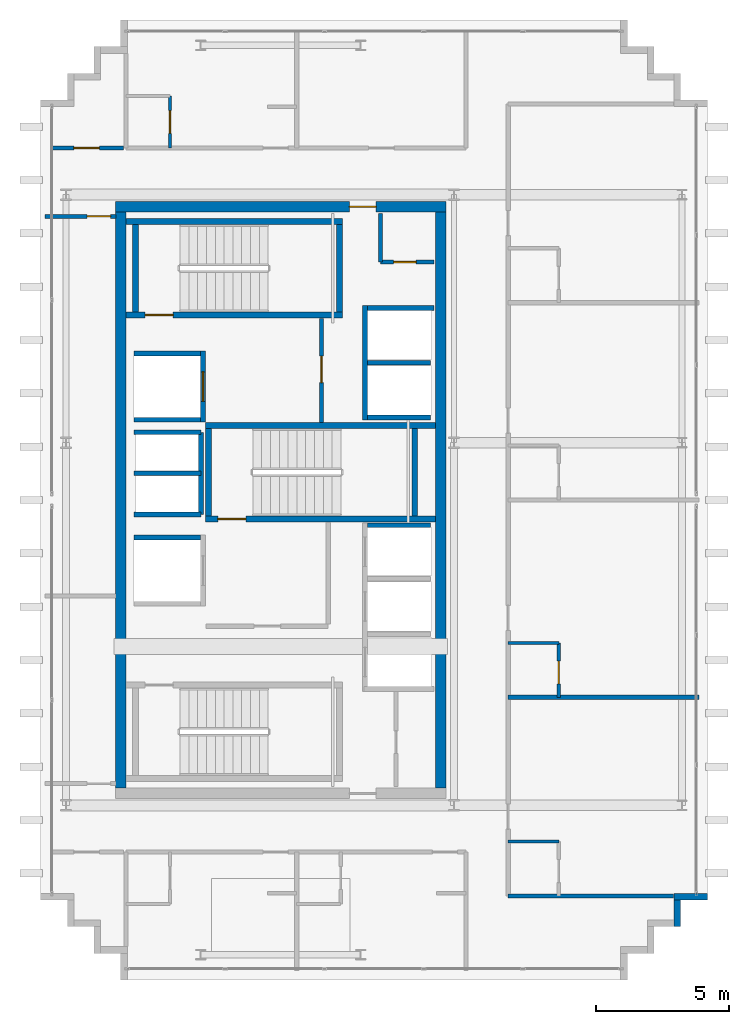
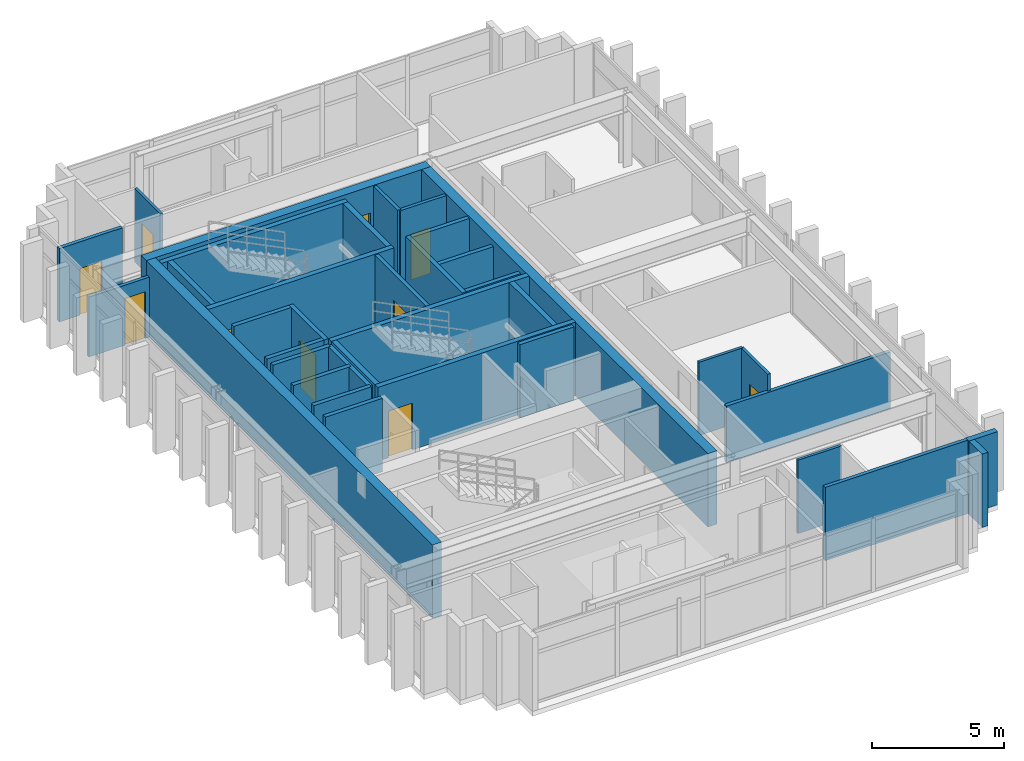
# One storey, part 13 of 15: 37 walls, 10 doors, 10 openings.
"""IFC4 building model written with IfcOpenShell, lengths in metres."""

import ifcopenshell
import ifcopenshell.guid

model = None  # the IFC model being written
_history = None  # IfcOwnerHistory: only IFC2X3 demands one
_inside = {}  # id of a spatial element -> (the spatial element, [elements in it])
_under = {}  # id of a project, library or spatial element -> (it, [spatial elements below it])
_declared = {}  # id of a project -> (the project, [libraries it declares])
_typed = {}  # id of a type object -> (the type object, [elements of that type])
_made_of = {}  # id of a material, layer set ... -> (it, [elements and type objects made of it])


def new_model(schema):
    """Start an empty IFC model of exactly this schema.

    Asked for "IFC4X3", IfcOpenShell would pick the latest addendum, in which some entities
    have other attributes; the version numbers below select the first issue.
    IFC2X3 requires an IfcOwnerHistory on every rooted entity: one is made here for all.
    """
    global model, _history
    if schema == "IFC4X3":
        model = ifcopenshell.file(schema_version=(4, 3, 0, 0))
    else:
        model = ifcopenshell.file(schema=schema)
    _inside.clear()
    _under.clear()
    _declared.clear()
    _typed.clear()
    _made_of.clear()
    _history = None
    if model.schema == "IFC2X3":
        org = make("IfcOrganization", Name="unknown")
        user = make(
            "IfcPersonAndOrganization",
            ThePerson=make("IfcPerson", FamilyName="unknown"),
            TheOrganization=org,
        )
        app = make(
            "IfcApplication",
            ApplicationDeveloper=org,
            Version="unknown",
            ApplicationFullName="unknown",
            ApplicationIdentifier="unknown",
        )
        _history = make(
            "IfcOwnerHistory",
            OwningUser=user,
            OwningApplication=app,
            ChangeAction="ADDED",
            CreationDate=0,
        )
    return model


def make(cls, **values):
    """One entity of the class cls with the attributes given. An attribute that is None is left unset."""
    return model.create_entity(
        cls, **{name: value for name, value in values.items() if value is not None}
    )


def rooted(cls, **values):
    """An entity with a GlobalId (a new one), such as an element, a storey or a relation."""
    return make(cls, GlobalId=ifcopenshell.guid.new(), OwnerHistory=_history, **values)


def si_unit(unit_type, name, prefix=None):
    """IfcSIUnit, for example si_unit("LENGTHUNIT", "METRE", prefix="MILLI")."""
    return make("IfcSIUnit", UnitType=unit_type, Prefix=prefix, Name=name)


def assignment(units):
    """IfcUnitAssignment: the units of a project."""
    return None if units is None else make("IfcUnitAssignment", Units=units)


def point(xyz):
    """IfcCartesianPoint."""
    return None if xyz is None else make("IfcCartesianPoint", Coordinates=xyz)


def direction(xyz):
    """IfcDirection."""
    return None if xyz is None else make("IfcDirection", DirectionRatios=xyz)


def frame(location, z_axis=None, x_axis=None):
    """IfcAxis2Placement3D, a coordinate frame: its origin and axes. An axis left out is left unset."""
    return make(
        "IfcAxis2Placement3D",
        Location=point(location),
        Axis=direction(z_axis),
        RefDirection=direction(x_axis),
    )


def frame_2d(location, x_axis=None):
    """IfcAxis2Placement2D, a coordinate frame in the plane: its origin and x axis."""
    return make(
        "IfcAxis2Placement2D", Location=point(location), RefDirection=direction(x_axis)
    )


def origin():
    """The frame at (0, 0, 0) with its axes left unset."""
    return frame((0.0, 0.0, 0.0))


def place(relative_to, where):
    """IfcLocalPlacement: puts the frame where relative to a parent placement (None: the world)."""
    return make(
        "IfcLocalPlacement", PlacementRelTo=relative_to, RelativePlacement=where
    )


def context(
    kind, dimensions, precision=None, world=None, true_north=None, identifier=None
):
    """IfcGeometricRepresentationContext, for example the 3D "Model" context."""
    return make(
        "IfcGeometricRepresentationContext",
        ContextIdentifier=identifier,
        ContextType=kind,
        CoordinateSpaceDimension=dimensions,
        Precision=precision,
        WorldCoordinateSystem=world,
        TrueNorth=true_north,
    )


def subcontext(parent, identifier, kind, view, scale=None):
    """IfcGeometricRepresentationSubContext, for example "Body" below "Model"."""
    return make(
        "IfcGeometricRepresentationSubContext",
        ContextIdentifier=identifier,
        ContextType=kind,
        ParentContext=parent,
        TargetScale=scale,
        TargetView=view,
    )


def project(units=None, contexts=None):
    """IfcProject with its units and contexts."""
    return rooted(
        "IfcProject",
        Name="project",
        RepresentationContexts=contexts,
        UnitsInContext=assignment(units),
    )


def spatial(cls, under=None, at=None, **own):
    """A site, building, storey or space (cls), placed at a placement, below another one or the project."""
    s = rooted(cls, ObjectPlacement=at, **own)
    if under is not None:
        _under.setdefault(under.id(), (under, []))[1].append(s)
    return s


def profile(cls, at=None, kind="AREA", **sizes):
    """A parametric profile (cls). Its sizes go by their IFC names, for example OverallWidth=200.0."""
    return make(cls, ProfileType=kind, Position=at, **sizes)


def rectangle(**sizes):
    """IfcRectangleProfileDef."""
    return profile("IfcRectangleProfileDef", **sizes)


def extrude(swept, where, along, depth):
    """IfcExtrudedAreaSolid: the profile swept, set in the frame where, extruded along a direction by depth."""
    return make(
        "IfcExtrudedAreaSolid",
        SweptArea=swept,
        Position=where,
        ExtrudedDirection=direction(along),
        Depth=depth,
    )


def shape(context_of_items, identifier, shape_type, items):
    """IfcShapeRepresentation: the items that make up one representation, for example the "Body"."""
    return make(
        "IfcShapeRepresentation",
        ContextOfItems=context_of_items,
        RepresentationIdentifier=identifier,
        RepresentationType=shape_type,
        Items=items,
    )


def source(mapping_origin, context_of_items, identifier, shape_type, items):
    """IfcRepresentationMap: a shape defined once, which mapped items show again and again."""
    return make(
        "IfcRepresentationMap",
        MappingOrigin=mapping_origin,
        MappedRepresentation=shape(context_of_items, identifier, shape_type, items),
    )


def transform(
    local_origin,
    x_axis=None,
    y_axis=None,
    z_axis=None,
    scale=None,
    scale2=None,
    scale3=None,
    uniform=True,
):
    """IfcCartesianTransformationOperator3D, or its non-uniform kind. x_axis, y_axis, z_axis: its Axis1, 2, 3."""
    if uniform:
        return make(
            "IfcCartesianTransformationOperator3D",
            Axis1=direction(x_axis),
            Axis2=direction(y_axis),
            LocalOrigin=point(local_origin),
            Scale=scale,
            Axis3=direction(z_axis),
        )
    return make(
        "IfcCartesianTransformationOperator3DnonUniform",
        Axis1=direction(x_axis),
        Axis2=direction(y_axis),
        LocalOrigin=point(local_origin),
        Scale=scale,
        Axis3=direction(z_axis),
        Scale2=scale2,
        Scale3=scale3,
    )


def mapped(mapping_source, mapping_target):
    """IfcMappedItem: shows the shape of a source again, moved by a transform."""
    return make(
        "IfcMappedItem", MappingSource=mapping_source, MappingTarget=mapping_target
    )


def material(Name=None, Category=None):
    """IfcMaterial."""
    return make("IfcMaterial", Name=Name, Category=Category)


def layer(
    of_material, thickness, ventilated=None, Name=None, Category=None, Priority=None
):
    """IfcMaterialLayer: one layer of a wall or slab, of a material (None: an air gap)."""
    return make(
        "IfcMaterialLayer",
        Material=of_material,
        LayerThickness=thickness,
        IsVentilated=ventilated,
        Name=Name,
        Category=Category,
        Priority=Priority,
    )


def layer_set(layers, Name=None):
    """IfcMaterialLayerSet."""
    return make("IfcMaterialLayerSet", MaterialLayers=layers, LayerSetName=Name)


def made_of(thing, what):
    """Note that an element or type object is made of a material, layer set ...; save() writes the relation."""
    if what is not None:
        _made_of.setdefault(what.id(), (what, []))[1].append(thing)
    return thing


def type_object(cls, material=None, **own):
    """A type object (cls), such as IfcWallType, which elements share."""
    return made_of(rooted(cls, **own), material)


def element(
    cls,
    number,
    at=None,
    inside=None,
    cuts=None,
    type_object=None,
    material=None,
    context=None,
    identifier="Body",
    shape_type=None,
    held_by="IfcProductDefinitionShape",
    body=None,
    shapes=None,
    **own,
):
    """One element of the class cls, such as IfcWall. Its Tag is "e" and its number.

    at: its placement. inside: the storey or other place that contains it. cuts: it is an
    opening in that element (IfcRelVoidsElement). A single representation is given by context,
    identifier, shape_type and body (its items); several are given by shapes. held_by: the class
    of the entity that holds the representations. save() writes the other relations.
    """
    e = rooted(cls, Tag="e%d" % number, ObjectPlacement=at, **own)
    if body is not None:
        shapes = [shape(context, identifier, shape_type, body)]
    if shapes is not None:
        e.Representation = make(held_by, Representations=shapes)
    if inside is not None:
        _inside.setdefault(inside.id(), (inside, []))[1].append(e)
    if cuts is not None:
        rooted(
            "IfcRelVoidsElement", RelatingBuildingElement=cuts, RelatedOpeningElement=e
        )
    if type_object is not None:
        _typed.setdefault(type_object.id(), (type_object, []))[1].append(e)
    return made_of(e, material)


def fill(opening, filler):
    """IfcRelFillsElement: the door or window that sits in an opening."""
    return rooted(
        "IfcRelFillsElement",
        RelatingOpeningElement=opening,
        RelatedBuildingElement=filler,
    )


def aggregate(whole, parts):
    """IfcRelAggregates: a whole, such as a stair, and the parts it consists of."""
    return rooted("IfcRelAggregates", RelatingObject=whole, RelatedObjects=parts)


def save(model, path):
    """Write the relations noted so far, then the file.

    IfcRelAggregates (storeys below a building ...), IfcRelContainedInSpatialStructure (elements
    in a storey), IfcRelDefinesByType, IfcRelAssociatesMaterial and IfcRelDeclares: one each for
    every whole, place, type object, material and project.
    """
    for whole, parts in _under.values():
        aggregate(whole, parts)
    for where, things in _inside.values():
        rooted(
            "IfcRelContainedInSpatialStructure",
            RelatedElements=things,
            RelatingStructure=where,
        )
    for kind, things in _typed.values():
        rooted("IfcRelDefinesByType", RelatedObjects=things, RelatingType=kind)
    for what, things in _made_of.values():
        rooted("IfcRelAssociatesMaterial", RelatedObjects=things, RelatingMaterial=what)
    for by, libraries in _declared.values():
        rooted("IfcRelDeclares", RelatingContext=by, RelatedDefinitions=libraries)
    model.write(path)


model = new_model("IFC4")

# Units and contexts
model_context = context("Model", 3, precision=1e-05, world=origin(), true_north=direction((0.0, 1.0)))
body_context = subcontext(model_context, "Body", "Model", "MODEL_VIEW")
ifc_project = project(units=[si_unit("LENGTHUNIT", "METRE"), si_unit("AREAUNIT", "SQUARE_METRE"), si_unit("VOLUMEUNIT", "CUBIC_METRE"), si_unit("PLANEANGLEUNIT", "RADIAN"), si_unit("MASSUNIT", "GRAM", prefix="KILO")], contexts=[model_context])

# Site, building, storey
site_placement = place(None, origin())
site = spatial("IfcSite", under=ifc_project, at=site_placement, CompositionType="ELEMENT")
building_placement = place(site_placement, origin())
building = spatial("IfcBuilding", under=site, at=building_placement, Name="Ocotamira Hotel", CompositionType="ELEMENT")
storey_placement = place(building_placement, frame((0.0, 0.0, 286.800048828125)))
storey = spatial("IfcBuildingStorey", under=building, at=storey_placement, Name="L73", CompositionType="ELEMENT", Elevation=286.800048828125)

# Wall, opening, door
ifc_material_1 = material(Name="Concrete C50/60", Category="concrete")
ifc_layer_1 = layer(ifc_material_1, 0.39990234375)
ifc_layer_set_1 = layer_set([ifc_layer_1], Name="Concrete C50/60")
wall_type_1 = type_object("IfcWallType", Name="WL-CORE-400", PredefinedType="SHEAR", material=ifc_layer_set_1)
wall_1_placement = place(storey_placement, frame((10.800048828125, 37.0, 0.0), z_axis=(0.0, 0.0, 1.0), x_axis=(1.0, 0.0, 0.0)))
wall_1 = element("IfcWall", 1, at=wall_1_placement, inside=storey, type_object=wall_type_1, Name="L73 Shear Core Wall WCORE-N", PredefinedType="SHEAR", context=body_context, shape_type="SweptSolid", body=[
    extrude(rectangle(XDim=12.39990234375, YDim=0.39990234375, at=frame_2d((6.199951171875, 0.0))), origin(), (0.0, 0.0, 1.0), 3.3798828125),
])
opening_1_placement = place(wall_1_placement, frame((8.780029296875, 0.0, 0.0)))
opening_1 = element("IfcOpeningElement", 2, at=opening_1_placement, cuts=wall_1, Name="Opening D-FR2", PredefinedType="OPENING", context=body_context, shape_type="SweptSolid", body=[
    extrude(rectangle(XDim=1.0, YDim=2.14990234375, at=frame_2d((0.5, 1.074951171875))), frame((0.0, 0.2099609375, 0.0), z_axis=(0.0, -1.0, 0.0), x_axis=(1.0, 0.0, 0.0)), (0.0, 0.0, 1.0), 0.419921875),
])
ifc_material_2 = material(Name="Fire-rated acoustic timber-veneer door", Category="wood")
door_type_1 = type_object("IfcDoorType", Name="DR-FIRE-1000", OperationType="NOTDEFINED", PredefinedType="DOOR", material=ifc_material_2)
shared_shape_1 = source(origin(), body_context, "Body", "SweptSolid", [
    extrude(rectangle(XDim=1.0, YDim=2.14990234375, at=frame_2d((0.5, 1.074951171875))), frame((0.0, 0.02490234375, 0.0), z_axis=(0.0, -1.0, 0.0), x_axis=(1.0, 0.0, 0.0)), (0.0, 0.0, 1.0), 0.050048828125),
])
door_1_placement = place(opening_1_placement, origin())
door_1 = element("IfcDoor", 3, at=door_1_placement, inside=storey, type_object=door_type_1, Name="L73 Door ID-L73-WLOB-N-D [ID-L73-WLOB-N-D]", OperationType="SINGLE_SWING_RIGHT", OverallHeight=2.14990234375, OverallWidth=1.0, PredefinedType="DOOR", context=body_context, shape_type="MappedRepresentation", body=[
    mapped(shared_shape_1, transform((0.0, 0.0, 0.0), scale=1.0)),
])
fill(opening_1, door_1)

# Walls
for number, where, z_axis, x_axis, name in (
    (4, (11.0, 15.199951171875, 0.0), (0.0, 0.0, 1.0), (0.0, 1.0, 0.0), "L73 Shear Core Wall WCORE-W"),
    (5, (23.0, 15.199951171875, 0.0), (0.0, 0.0, 1.0), (0.0, 1.0, 0.0), "L73 Shear Core Wall WCORE-E"),
):
    element("IfcWall", number, at=place(storey_placement, frame(where, z_axis=z_axis, x_axis=x_axis)), inside=storey, type_object=wall_type_1, Name=name, PredefinedType="SHEAR", context=body_context, shape_type="SweptSolid", body=[
        extrude(rectangle(XDim=21.60009765625, YDim=0.39990234375, at=frame_2d((10.800048828125, 0.0))), origin(), (0.0, 0.0, 1.0), 3.3798828125),
    ])
ifc_material_3 = material(Name="Precast concrete C45/55", Category="concrete")
ifc_layer_2 = layer(ifc_material_3, 0.25)
ifc_layer_set_2 = layer_set([ifc_layer_2], Name="Precast concrete C45/55")
wall_type_2 = type_object("IfcWallType", Name="WL-EXT-SER-250", PredefinedType="SOLIDWALL", material=ifc_layer_set_2)
wall_2_placement = place(storey_placement, frame((31.875, 10.0, 0.0), z_axis=(0.0, 0.0, 1.0), x_axis=(0.0, 1.0, 0.0)))
element("IfcWall", 6, at=wall_2_placement, inside=storey, type_object=wall_type_2, Name="L73 Serrated Corner Wall 05", PredefinedType="SOLIDWALL", context=body_context, shape_type="SweptSolid", body=[
    extrude(rectangle(XDim=1.0, YDim=0.25, at=frame_2d((0.5, 0.0))), origin(), (0.0, 0.0, 1.0), 3.3798828125),
])
wall_3_placement = place(storey_placement, frame((31.75, 11.125, 0.0), z_axis=(0.0, 0.0, 1.0), x_axis=(1.0, 0.0, 0.0)))
element("IfcWall", 7, at=wall_3_placement, inside=storey, type_object=wall_type_2, Name="L73 Serrated Corner Wall 06", PredefinedType="SOLIDWALL", context=body_context, shape_type="SweptSolid", body=[
    extrude(rectangle(XDim=1.25, YDim=0.25, at=frame_2d((0.625, 0.0))), origin(), (0.0, 0.0, 1.0), 3.3798828125),
])

# Wall, opening, door
ifc_material_4 = material(Name="Acoustic double-layer fire gypsum board partition", Category="gypsum")
ifc_layer_3 = layer(ifc_material_4, 0.159912109375)
ifc_layer_set_3 = layer_set([ifc_layer_3], Name="Acoustic double-layer fire gypsum board partition")
wall_type_3 = type_object("IfcWallType", Name="WL-FIRE-160", PredefinedType="PARTITIONING", material=ifc_layer_set_3)
wall_4_placement = place(storey_placement, frame((18.530029296875, 28.89990234375, 0.0), z_axis=(0.0, 0.0, 1.0), x_axis=(0.0, 1.0, 0.0)))
wall_4 = element("IfcWall", 8, at=wall_4_placement, inside=storey, type_object=wall_type_3, Name="L73 Interior Wall PW-L73-FSAE2-E", PredefinedType="PARTITIONING", context=body_context, shape_type="SweptSolid", body=[
    extrude(rectangle(XDim=3.900146484375, YDim=0.159912109375, at=frame_2d((1.9501953125, 0.0))), origin(), (0.0, 0.0, 1.0), 3.3798828125),
])
opening_2_placement = place(wall_4_placement, frame((1.5, 0.0, 0.0)))
opening_2 = element("IfcOpeningElement", 9, at=opening_2_placement, cuts=wall_4, Name="Opening D-FR2", PredefinedType="OPENING", context=body_context, shape_type="SweptSolid", body=[
    extrude(rectangle(XDim=1.0, YDim=2.14990234375, at=frame_2d((0.5, 1.074951171875))), frame((0.0, 0.08984375, 0.0), z_axis=(0.0, -1.0, 0.0), x_axis=(1.0, 0.0, 0.0)), (0.0, 0.0, 1.0), 0.179931640625),
])
door_2_placement = place(opening_2_placement, origin())
door_2 = element("IfcDoor", 10, at=door_2_placement, inside=storey, type_object=door_type_1, Name="L73 Door ID-L73-FSAE2-D [ID-L73-FSAE2-D]", OperationType="SINGLE_SWING_RIGHT", OverallHeight=2.14990234375, OverallWidth=1.0, PredefinedType="DOOR", context=body_context, shape_type="MappedRepresentation", body=[
    mapped(shared_shape_1, transform((0.0, 0.0, 0.0), scale=1.0)),
])
fill(opening_2, door_2)

wall_5_placement = place(storey_placement, frame((8.35009765625, 39.199951171875, 0.0), z_axis=(0.0, 0.0, 1.0), x_axis=(1.0, 0.0, 0.0)))
wall_5 = element("IfcWall", 11, at=wall_5_placement, inside=storey, type_object=wall_type_3, Name="L73 Interior Wall PW-L73-WPCNW1-CW", PredefinedType="PARTITIONING", context=body_context, shape_type="SweptSolid", body=[
    extrude(rectangle(XDim=2.75, YDim=0.159912109375, at=frame_2d((1.375, 0.0))), origin(), (0.0, 0.0, 1.0), 3.3798828125),
])
opening_3_placement = place(wall_5_placement, frame((0.89501953125, 0.0, 0.0)))
opening_3 = element("IfcOpeningElement", 12, at=opening_3_placement, cuts=wall_5, Name="Opening D-SV4", PredefinedType="OPENING", context=body_context, shape_type="SweptSolid", body=[
    extrude(rectangle(XDim=0.9599609375, YDim=2.14990234375, at=frame_2d((0.47998046875, 1.074951171875))), frame((0.0, 0.08984375, 0.0), z_axis=(0.0, -1.0, 0.0), x_axis=(1.0, 0.0, 0.0)), (0.0, 0.0, 1.0), 0.179931640625),
])
ifc_material_5 = material(Name="Fire-rated accessible walnut salon door", Category="wood")
door_type_2 = type_object("IfcDoorType", Name="DR-SERV-960", OperationType="NOTDEFINED", PredefinedType="DOOR", material=ifc_material_5)
shared_shape_2 = source(origin(), body_context, "Body", "SweptSolid", [
    extrude(rectangle(XDim=0.9599609375, YDim=2.14990234375, at=frame_2d((0.47998046875, 1.074951171875))), frame((0.0, 0.02490234375, 0.0), z_axis=(0.0, -1.0, 0.0), x_axis=(1.0, 0.0, 0.0)), (0.0, 0.0, 1.0), 0.050048828125),
])
door_3_placement = place(opening_3_placement, origin())
door_3 = element("IfcDoor", 13, at=door_3_placement, inside=storey, type_object=door_type_2, Name="L73 Door ID-L73-WPCNW1-CD [ID-L73-WPCNW1-CD]", OperationType="SINGLE_SWING_LEFT", OverallHeight=2.14990234375, OverallWidth=0.9599609375, PredefinedType="DOOR", context=body_context, shape_type="MappedRepresentation", body=[
    mapped(shared_shape_2, transform((0.0, 0.0, 0.0), scale=1.0)),
])
fill(opening_3, door_3)

ifc_material_6 = material(Name="Moisture-resistant en-suite tile and gypsum partition", Category="gypsum")
ifc_layer_4 = layer(ifc_material_6, 0.1201171875)
ifc_layer_set_4 = layer_set([ifc_layer_4], Name="Moisture-resistant en-suite tile and gypsum partition")
wall_type_4 = type_object("IfcWallType", Name="WL-PART-120", PredefinedType="PARTITIONING", material=ifc_layer_set_4)
wall_6_placement = place(storey_placement, frame((12.85009765625, 39.199951171875, 0.0), z_axis=(0.0, 0.0, 1.0), x_axis=(0.0, 1.0, 0.0)))
wall_6 = element("IfcWall", 14, at=wall_6_placement, inside=storey, type_object=wall_type_4, Name="L73 Interior Wall PW-L73-WP1N-BAE1", PredefinedType="PARTITIONING", context=body_context, shape_type="SweptSolid", body=[
    extrude(rectangle(XDim=1.949951171875, YDim=0.1201171875, at=frame_2d((0.97509765625, 0.0))), origin(), (0.0, 0.0, 1.0), 3.3798828125),
])
opening_4_placement = place(wall_6_placement, frame((0.544921875, 0.0, 0.0)))
opening_4 = element("IfcOpeningElement", 15, at=opening_4_placement, cuts=wall_6, Name="Opening D-BA1", PredefinedType="OPENING", context=body_context, shape_type="SweptSolid", body=[
    extrude(rectangle(XDim=0.860107421875, YDim=2.10009765625, at=frame_2d((0.43017578125, 1.050048828125))), frame((0.0, 0.070068359375, 0.0), z_axis=(0.0, -1.0, 0.0), x_axis=(1.0, 0.0, 0.0)), (0.0, 0.0, 1.0), 0.14013671875),
])
ifc_material_7 = material(Name="Moisture-sealed en-suite timber door", Category="wood")
door_type_3 = type_object("IfcDoorType", Name="DR-BATH-860", OperationType="NOTDEFINED", PredefinedType="DOOR", material=ifc_material_7)
shared_shape_3 = source(origin(), body_context, "Body", "SweptSolid", [
    extrude(rectangle(XDim=0.860107421875, YDim=2.10009765625, at=frame_2d((0.43017578125, 1.050048828125))), frame((0.0, 0.02490234375, 0.0), z_axis=(0.0, -1.0, 0.0), x_axis=(1.0, 0.0, 0.0)), (0.0, 0.0, 1.0), 0.050048828125),
])
door_4_placement = place(opening_4_placement, origin())
door_4 = element("IfcDoor", 16, at=door_4_placement, inside=storey, type_object=door_type_3, Name="L73 Door ID-L73-WP1N-BAD1 [ID-L73-WP1N-BAD1]", OperationType="SINGLE_SWING_RIGHT", OverallHeight=2.10009765625, OverallWidth=0.860107421875, PredefinedType="DOOR", context=body_context, shape_type="MappedRepresentation", body=[
    mapped(shared_shape_3, transform((0.0, 0.0, 0.0), scale=1.0)),
])
fill(opening_4, door_4)

# Wall
wall_7_placement = place(storey_placement, frame((25.530029296875, 13.18994140625, 0.0), z_axis=(0.0, 0.0, 1.0), x_axis=(1.0, 0.0, 0.0)))
element("IfcWall", 17, at=wall_7_placement, inside=storey, type_object=wall_type_4, Name="L73 Interior Wall PW-L73-WP-EBN1", PredefinedType="PARTITIONING", context=body_context, shape_type="SweptSolid", body=[
    extrude(rectangle(XDim=1.89990234375, YDim=0.1201171875, at=frame_2d((0.949951171875, 0.0))), origin(), (0.0, 0.0, 1.0), 3.3798828125),
])

# Wall, opening, door
wall_8_placement = place(storey_placement, frame((27.429931640625, 18.60009765625, 0.0), z_axis=(0.0, 0.0, 1.0), x_axis=(0.0, 1.0, 0.0)))
wall_8 = element("IfcWall", 18, at=wall_8_placement, inside=storey, type_object=wall_type_4, Name="L73 Interior Wall PW-L73-WP-EBE2", PredefinedType="PARTITIONING", context=body_context, shape_type="SweptSolid", body=[
    extrude(rectangle(XDim=2.039794921875, YDim=0.1201171875, at=frame_2d((1.02001953125, 0.0))), origin(), (0.0, 0.0, 1.0), 3.3798828125),
])
opening_5_placement = place(wall_8_placement, frame((0.5, 0.0, 0.0)))
opening_5 = element("IfcOpeningElement", 19, at=opening_5_placement, cuts=wall_8, Name="Opening D-BA1", PredefinedType="OPENING", context=body_context, shape_type="SweptSolid", body=[
    extrude(rectangle(XDim=0.860107421875, YDim=2.10009765625, at=frame_2d((0.43017578125, 1.050048828125))), frame((0.0, 0.070068359375, 0.0), z_axis=(0.0, -1.0, 0.0), x_axis=(1.0, 0.0, 0.0)), (0.0, 0.0, 1.0), 0.14013671875),
])
door_5_placement = place(opening_5_placement, origin())
door_5 = element("IfcDoor", 20, at=door_5_placement, inside=storey, type_object=door_type_3, Name="L73 Door ID-L73-WP-EBD2 [ID-L73-WP-EBD2]", OperationType="SINGLE_SWING_LEFT", OverallHeight=2.10009765625, OverallWidth=0.860107421875, PredefinedType="DOOR", context=body_context, shape_type="MappedRepresentation", body=[
    mapped(shared_shape_3, transform((0.0, 0.0, 0.0), scale=1.0)),
])
fill(opening_5, door_5)

# Walls
wall_9_placement = place(storey_placement, frame((25.530029296875, 20.639892578125, 0.0), z_axis=(0.0, 0.0, 1.0), x_axis=(1.0, 0.0, 0.0)))
element("IfcWall", 21, at=wall_9_placement, inside=storey, type_object=wall_type_4, Name="L73 Interior Wall PW-L73-WP-EBN2", PredefinedType="PARTITIONING", context=body_context, shape_type="SweptSolid", body=[
    extrude(rectangle(XDim=1.89990234375, YDim=0.1201171875, at=frame_2d((0.949951171875, 0.0))), origin(), (0.0, 0.0, 1.0), 3.3798828125),
])
ifc_material_8 = material(Name="Acoustic hospitality gypsum board partition", Category="gypsum")
ifc_layer_5 = layer(ifc_material_8, 0.14208984375)
ifc_layer_set_5 = layer_set([ifc_layer_5], Name="Acoustic hospitality gypsum board partition")
wall_type_5 = type_object("IfcWallType", Name="WL-PART-142", PredefinedType="PARTITIONING", material=ifc_layer_set_5)
wall_10_placement = place(storey_placement, frame((20.739990234375, 34.919921875, 0.0), z_axis=(0.0, 0.0, 1.0), x_axis=(0.0, 1.0, 0.0)))
element("IfcWall", 22, at=wall_10_placement, inside=storey, type_object=wall_type_5, Name="L73 Interior Wall PW-L73-WC-NE-W1", PredefinedType="PARTITIONING", context=body_context, shape_type="SweptSolid", body=[
    extrude(rectangle(XDim=1.830078125, YDim=0.14208984375, at=frame_2d((0.9150390625, 0.0))), origin(), (0.0, 0.0, 1.0), 3.3798828125),
])

# Wall, opening, door
wall_11_placement = place(storey_placement, frame((20.739990234375, 34.919921875, 0.0), z_axis=(0.0, 0.0, 1.0), x_axis=(1.0, 0.0, 0.0)))
wall_11 = element("IfcWall", 23, at=wall_11_placement, inside=storey, type_object=wall_type_5, Name="L73 Interior Wall PW-L73-WC-NE-S1", PredefinedType="PARTITIONING", context=body_context, shape_type="SweptSolid", body=[
    extrude(rectangle(XDim=2.010009765625, YDim=0.14208984375, at=frame_2d((1.0048828125, 0.0))), origin(), (0.0, 0.0, 1.0), 3.3798828125),
])
opening_6_placement = place(wall_11_placement, frame((0.5, 0.0, 0.0)))
opening_6 = element("IfcOpeningElement", 24, at=opening_6_placement, cuts=wall_11, Name="Opening D-SV1", PredefinedType="OPENING", context=body_context, shape_type="SweptSolid", body=[
    extrude(rectangle(XDim=0.840087890625, YDim=2.10009765625, at=frame_2d((0.419921875, 1.050048828125))), frame((0.0, 0.0810546875, 0.0), z_axis=(0.0, -1.0, 0.0), x_axis=(1.0, 0.0, 0.0)), (0.0, 0.0, 1.0), 0.162109375),
])
ifc_material_9 = material(Name="Fire-rated painted steel service door", Category="steel")
door_type_4 = type_object("IfcDoorType", Name="DR-SERV-840", OperationType="NOTDEFINED", PredefinedType="DOOR", material=ifc_material_9)
shared_shape_4 = source(origin(), body_context, "Body", "SweptSolid", [
    extrude(rectangle(XDim=0.840087890625, YDim=2.10009765625, at=frame_2d((0.419921875, 1.050048828125))), frame((0.0, 0.02490234375, 0.0), z_axis=(0.0, -1.0, 0.0), x_axis=(1.0, 0.0, 0.0)), (0.0, 0.0, 1.0), 0.050048828125),
])
door_6_placement = place(opening_6_placement, origin())
door_6 = element("IfcDoor", 25, at=door_6_placement, inside=storey, type_object=door_type_4, Name="L73 Door ID-L73-WC-NE-D1 [ID-L73-WC-NE-D1]", OperationType="SINGLE_SWING_LEFT", OverallHeight=2.10009765625, OverallWidth=0.840087890625, PredefinedType="DOOR", context=body_context, shape_type="MappedRepresentation", body=[
    mapped(shared_shape_4, transform((0.0, 0.0, 0.0), scale=1.0)),
])
fill(opening_6, door_6)

ifc_layer_6 = layer(ifc_material_8, 0.14990234375)
ifc_layer_set_6 = layer_set([ifc_layer_6], Name="Acoustic hospitality gypsum board partition")
wall_type_6 = type_object("IfcWallType", Name="WL-PART-150", PredefinedType="PARTITIONING", material=ifc_layer_set_6)
wall_12_placement = place(storey_placement, frame((8.159912109375, 36.639892578125, 0.0), z_axis=(0.0, 0.0, 1.0), x_axis=(1.0, 0.0, 0.0)))
wall_12 = element("IfcWall", 26, at=wall_12_placement, inside=storey, type_object=wall_type_6, Name="L73 Interior Wall PW-L73-WP1W-WN", PredefinedType="PARTITIONING", context=body_context, shape_type="SweptSolid", body=[
    extrude(rectangle(XDim=2.66015625, YDim=0.14990234375, at=frame_2d((1.330078125, 0.0))), origin(), (0.0, 0.0, 1.0), 2.762939453125),
])
opening_7_placement = place(wall_12_placement, frame((1.580078125, 0.0, 0.0)))
opening_7 = element("IfcOpeningElement", 27, at=opening_7_placement, cuts=wall_12, Name="Opening D-SV2", PredefinedType="OPENING", context=body_context, shape_type="SweptSolid", body=[
    extrude(rectangle(XDim=0.8798828125, YDim=2.14990234375, at=frame_2d((0.43994140625, 1.074951171875))), frame((0.0, 0.0849609375, 0.0), z_axis=(0.0, -1.0, 0.0), x_axis=(1.0, 0.0, 0.0)), (0.0, 0.0, 1.0), 0.169921875),
])
door_type_5 = type_object("IfcDoorType", Name="DR-SERV-880", OperationType="NOTDEFINED", PredefinedType="DOOR", material=ifc_material_9)
shared_shape_5 = source(origin(), body_context, "Body", "SweptSolid", [
    extrude(rectangle(XDim=0.8798828125, YDim=2.14990234375, at=frame_2d((0.43994140625, 1.074951171875))), frame((0.0, 0.02490234375, 0.0), z_axis=(0.0, -1.0, 0.0), x_axis=(1.0, 0.0, 0.0)), (0.0, 0.0, 1.0), 0.050048828125),
])
door_7_placement = place(opening_7_placement, origin())
door_7 = element("IfcDoor", 28, at=door_7_placement, inside=storey, type_object=door_type_5, Name="L73 Door ID-L73-WP1W-DN [ID-L73-WP1W-DN]", OperationType="SINGLE_SWING_RIGHT", OverallHeight=2.14990234375, OverallWidth=0.8798828125, PredefinedType="DOOR", context=body_context, shape_type="MappedRepresentation", body=[
    mapped(shared_shape_5, transform((0.0, 0.0, 0.0), scale=1.0)),
])
fill(opening_7, door_7)

# Walls
ifc_material_10 = material(Name="Acoustic double-stud hospitality gypsum partition", Category="gypsum")
ifc_layer_7 = layer(ifc_material_10, 0.159912109375)
ifc_layer_set_7 = layer_set([ifc_layer_7], Name="Acoustic double-stud hospitality gypsum partition")
wall_type_7 = type_object("IfcWallType", Name="WL-PART-160", PredefinedType="PARTITIONING", material=ifc_layer_set_7)
wall_13_placement = place(storey_placement, frame((25.530029296875, 11.14990234375, 0.0), z_axis=(0.0, 0.0, 1.0), x_axis=(1.0, 0.0, 0.0)))
element("IfcWall", 29, at=wall_13_placement, inside=storey, type_object=wall_type_7, Name="L73 Interior Wall PW-L73-WP-EDIV0", PredefinedType="PARTITIONING", context=body_context, shape_type="SweptSolid", body=[
    extrude(rectangle(XDim=6.2099609375, YDim=0.159912109375, at=frame_2d((3.10498046875, 0.0))), origin(), (0.0, 0.0, 1.0), 3.3798828125),
])
wall_14_placement = place(storey_placement, frame((25.530029296875, 18.60009765625, 0.0), z_axis=(0.0, 0.0, 1.0), x_axis=(1.0, 0.0, 0.0)))
element("IfcWall", 30, at=wall_14_placement, inside=storey, type_object=wall_type_7, Name="L73 Interior Wall PW-L73-WP-EDIV1", PredefinedType="PARTITIONING", context=body_context, shape_type="SweptSolid", body=[
    extrude(rectangle(XDim=7.14990234375, YDim=0.159912109375, at=frame_2d((3.574951171875, 0.0))), origin(), (0.0, 0.0, 1.0), 2.600830078125),
])
ifc_material_11 = material(Name="Fire-rated gypsum shaftliner board assembly", Category="gypsum")
ifc_layer_8 = layer(ifc_material_11, 0.179931640625)
ifc_layer_set_8 = layer_set([ifc_layer_8], Name="Fire-rated gypsum shaftliner board assembly")
wall_type_8 = type_object("IfcWallType", Name="WL-SHAFT-180", PredefinedType="SOLIDWALL", material=ifc_layer_set_8)
wall_15_placement = place(storey_placement, frame((20.25, 25.050048828125, 0.0), z_axis=(0.0, 0.0, 1.0), x_axis=(1.0, 0.0, 0.0)))
element("IfcWall", 31, at=wall_15_placement, inside=storey, type_object=wall_type_8, Name="L73 Interior Wall PW-L73-LFW-BANK-high-N", PredefinedType="SOLIDWALL", context=body_context, shape_type="SweptSolid", body=[
    extrude(rectangle(XDim=2.360107421875, YDim=0.179931640625, at=frame_2d((1.18017578125, 0.0))), origin(), (0.0, 0.0, 1.0), 3.3798828125),
])
wall_16_placement = place(storey_placement, frame((20.159912109375, 29.0, 0.0), z_axis=(0.0, 0.0, 1.0), x_axis=(0.0, 1.0, 0.0)))
element("IfcWall", 32, at=wall_16_placement, inside=storey, type_object=wall_type_8, Name="L73 Interior Wall PW-L73-LFW-BANK-obs-F", PredefinedType="SOLIDWALL", context=body_context, shape_type="SweptSolid", body=[
    extrude(rectangle(XDim=4.2900390625, YDim=0.179931640625, at=frame_2d((2.14501953125, 0.0))), origin(), (0.0, 0.0, 1.0), 3.3798828125),
])
wall_17_placement = place(storey_placement, frame((20.25, 29.090087890625, 0.0), z_axis=(0.0, 0.0, 1.0), x_axis=(1.0, 0.0, 0.0)))
element("IfcWall", 33, at=wall_17_placement, inside=storey, type_object=wall_type_8, Name="L73 Interior Wall PW-L73-LFW-BANK-obs-S", PredefinedType="SOLIDWALL", context=body_context, shape_type="SweptSolid", body=[
    extrude(rectangle(XDim=2.360107421875, YDim=0.179931640625, at=frame_2d((1.18017578125, 0.0))), origin(), (0.0, 0.0, 1.0), 3.3798828125),
])
wall_18_placement = place(storey_placement, frame((20.25, 33.199951171875, 0.0), z_axis=(0.0, 0.0, 1.0), x_axis=(1.0, 0.0, 0.0)))
element("IfcWall", 34, at=wall_18_placement, inside=storey, type_object=wall_type_8, Name="L73 Interior Wall PW-L73-LFW-BANK-obs-N", PredefinedType="SOLIDWALL", context=body_context, shape_type="SweptSolid", body=[
    extrude(rectangle(XDim=2.5, YDim=0.179931640625, at=frame_2d((1.25, 0.0))), origin(), (0.0, 0.0, 1.0), 3.3798828125),
])
wall_19_placement = place(storey_placement, frame((20.25, 31.14501953125, 0.0), z_axis=(0.0, 0.0, 1.0), x_axis=(1.0, 0.0, 0.0)))
element("IfcWall", 35, at=wall_19_placement, inside=storey, type_object=wall_type_8, Name="L73 Interior Wall PW-L73-LFW-DIV-LF-OBS1", PredefinedType="SOLIDWALL", context=body_context, shape_type="SweptSolid", body=[
    extrude(rectangle(XDim=2.360107421875, YDim=0.179931640625, at=frame_2d((1.18017578125, 0.0))), origin(), (0.0, 0.0, 1.0), 3.3798828125),
])
for number, where, z_axis, x_axis, name in (
    (36, (11.5, 24.590087890625, 0.0), (0.0, 0.0, 1.0), (1.0, 0.0, 0.0), "L73 Interior Wall PW-L73-LFW-LF-FSAE1-N"),
    (37, (11.5, 29.010009765625, 0.0), (0.0, 0.0, 1.0), (1.0, 0.0, 0.0), "L73 Interior Wall PW-L73-LFW-LF-FSAE2-S"),
    (38, (11.5, 31.489990234375, 0.0), (0.0, 0.0, 1.0), (1.0, 0.0, 0.0), "L73 Interior Wall PW-L73-LFW-LF-FSAE2-N"),
):
    element("IfcWall", number, at=place(storey_placement, frame(where, z_axis=z_axis, x_axis=x_axis)), inside=storey, type_object=wall_type_8, Name=name, PredefinedType="SOLIDWALL", context=body_context, shape_type="SweptSolid", body=[
        extrude(rectangle(XDim=2.5, YDim=0.179931640625, at=frame_2d((1.25, 0.0))), origin(), (0.0, 0.0, 1.0), 3.3798828125),
    ])

# Wall, opening, door
wall_20_placement = place(storey_placement, frame((14.090087890625, 28.919921875, 0.0), z_axis=(0.0, 0.0, 1.0), x_axis=(0.0, 1.0, 0.0)))
wall_20 = element("IfcWall", 39, at=wall_20_placement, inside=storey, type_object=wall_type_8, Name="L73 Interior Wall PW-L73-LFW-LF-FSAE2-E", PredefinedType="SOLIDWALL", context=body_context, shape_type="SweptSolid", body=[
    extrude(rectangle(XDim=2.66015625, YDim=0.179931640625, at=frame_2d((1.330078125, 0.0))), origin(), (0.0, 0.0, 1.0), 3.3798828125),
])
opening_8_placement = place(wall_20_placement, frame((0.780029296875, 0.0, 0.0)))
opening_8 = element("IfcOpeningElement", 40, at=opening_8_placement, cuts=wall_20, Name="Opening LD-LF-FSAE2", PredefinedType="OPENING", context=body_context, shape_type="SweptSolid", body=[
    extrude(rectangle(XDim=1.10009765625, YDim=2.199951171875, at=frame_2d((0.550048828125, 1.10009765625))), frame((0.0, 0.10009765625, 0.0), z_axis=(0.0, -1.0, 0.0), x_axis=(1.0, 0.0, 0.0)), (0.0, 0.0, 1.0), 0.199951171875),
])
ifc_material_12 = material(Name="Brushed pale-metal stainless elevator landing door", Category="steel")
door_type_6 = type_object("IfcDoorType", Name="DR-LIFT-1100", OperationType="NOTDEFINED", PredefinedType="DOOR", material=ifc_material_12)
shared_shape_6 = source(origin(), body_context, "Body", "SweptSolid", [
    extrude(rectangle(XDim=1.10009765625, YDim=2.199951171875, at=frame_2d((0.550048828125, 1.10009765625))), frame((0.0, 0.02490234375, 0.0), z_axis=(0.0, -1.0, 0.0), x_axis=(1.0, 0.0, 0.0)), (0.0, 0.0, 1.0), 0.050048828125),
])
door_8_placement = place(opening_8_placement, origin())
door_8 = element("IfcDoor", 41, at=door_8_placement, inside=storey, type_object=door_type_6, Name="L73 Landing Door LD-LF-FSAE2 [ID-L73-LD-LF-FSAE2]", OperationType="DOUBLE_DOOR_SLIDING", OverallHeight=2.199951171875, OverallWidth=1.10009765625, PredefinedType="DOOR", context=body_context, shape_type="MappedRepresentation", body=[
    mapped(shared_shape_6, transform((0.0, 0.0, 0.0), scale=1.0)),
])
fill(opening_8, door_8)

# Walls
for number, where, z_axis, x_axis, name in (
    (42, (11.5, 25.4599609375, 0.0), (0.0, 0.0, 1.0), (1.0, 0.0, 0.0), "L73 Interior Wall PW-L73-RSW-S"),
    (43, (11.5, 27.0, 0.0), (0.0, 0.0, 1.0), (1.0, 0.0, 0.0), "L73 Interior Wall PW-L73-RSW-MID"),
    (44, (11.5, 28.5400390625, 0.0), (0.0, 0.0, 1.0), (1.0, 0.0, 0.0), "L73 Interior Wall PW-L73-RSW-N"),
):
    element("IfcWall", number, at=place(storey_placement, frame(where, z_axis=z_axis, x_axis=x_axis)), inside=storey, type_object=wall_type_8, Name=name, PredefinedType="SOLIDWALL", context=body_context, shape_type="SweptSolid", body=[
        extrude(rectangle(XDim=2.510009765625, YDim=0.179931640625, at=frame_2d((1.2548828125, 0.0))), origin(), (0.0, 0.0, 1.0), 3.3798828125),
    ])
wall_21_placement = place(storey_placement, frame((14.010009765625, 25.4599609375, 0.0), z_axis=(0.0, 0.0, 1.0), x_axis=(0.0, 1.0, 0.0)))
element("IfcWall", 45, at=wall_21_placement, inside=storey, type_object=wall_type_8, Name="L73 Interior Wall PW-L73-RSW-E", PredefinedType="SOLIDWALL", context=body_context, shape_type="SweptSolid", body=[
    extrude(rectangle(XDim=3.080078125, YDim=0.179931640625, at=frame_2d((1.5400390625, 0.0))), origin(), (0.0, 0.0, 1.0), 3.3798828125),
])

# Wall, opening, door
ifc_layer_9 = layer(ifc_material_1, 0.219970703125)
ifc_layer_set_9 = layer_set([ifc_layer_9], Name="Concrete C50/60")
wall_type_9 = type_object("IfcWallType", Name="WL-STAIR-220", PredefinedType="SHEAR", material=ifc_layer_set_9)
wall_22_placement = place(storey_placement, frame((11.199951171875, 32.93994140625, 0.0), z_axis=(0.0, 0.0, 1.0), x_axis=(1.0, 0.0, 0.0)))
wall_22 = element("IfcWall", 46, at=wall_22_placement, inside=storey, type_object=wall_type_9, Name="L73 Stair Shaft Structural Wall ST-2-S", PredefinedType="SHEAR", context=body_context, shape_type="SweptSolid", body=[
    extrude(rectangle(XDim=8.110107421875, YDim=0.219970703125, at=frame_2d((4.05517578125, 0.0))), origin(), (0.0, 0.0, 1.0), 3.39990234375),
])
opening_9_placement = place(wall_22_placement, frame((0.719970703125, 0.0, 0.0)))
opening_9 = element("IfcOpeningElement", 47, at=opening_9_placement, cuts=wall_22, Name="Opening D-ST2", PredefinedType="OPENING", context=body_context, shape_type="SweptSolid", body=[
    extrude(rectangle(XDim=1.050048828125, YDim=2.14990234375, at=frame_2d((0.52490234375, 1.074951171875))), frame((0.0, 0.1201171875, 0.0), z_axis=(0.0, -1.0, 0.0), x_axis=(1.0, 0.0, 0.0)), (0.0, 0.0, 1.0), 0.239990234375),
])
ifc_material_13 = material(Name="Insulated painted hollow-metal fire exit door", Category="steel")
door_type_7 = type_object("IfcDoorType", Name="DR-STAIR-1050", OperationType="NOTDEFINED", PredefinedType="DOOR", material=ifc_material_13)
shared_shape_7 = source(origin(), body_context, "Body", "SweptSolid", [
    extrude(rectangle(XDim=1.050048828125, YDim=2.14990234375, at=frame_2d((0.52490234375, 1.074951171875))), frame((0.0, 0.02490234375, 0.0), z_axis=(0.0, -1.0, 0.0), x_axis=(1.0, 0.0, 0.0)), (0.0, 0.0, 1.0), 0.050048828125),
])
door_9_placement = place(opening_9_placement, origin())
door_9 = element("IfcDoor", 48, at=door_9_placement, inside=storey, type_object=door_type_7, Name="L73 Door ID-L73-STD-ST-2 [ID-L73-STD-ST-2]", OperationType="SINGLE_SWING_LEFT", OverallHeight=2.14990234375, OverallWidth=1.050048828125, PredefinedType="DOOR", context=body_context, shape_type="MappedRepresentation", body=[
    mapped(shared_shape_7, transform((0.0, 0.0, 0.0), scale=1.0)),
])
fill(opening_9, door_9)

# Walls
wall_23_placement = place(storey_placement, frame((11.199951171875, 36.43994140625, 0.0), z_axis=(0.0, 0.0, 1.0), x_axis=(1.0, 0.0, 0.0)))
element("IfcWall", 49, at=wall_23_placement, inside=storey, type_object=wall_type_9, Name="L73 Stair Shaft Structural Wall ST-2-N", PredefinedType="SHEAR", context=body_context, shape_type="SweptSolid", body=[
    extrude(rectangle(XDim=8.110107421875, YDim=0.219970703125, at=frame_2d((4.05517578125, 0.0))), origin(), (0.0, 0.0, 1.0), 3.39990234375),
])
for number, where, z_axis, x_axis, name in (
    (50, (11.56005859375, 33.050048828125, 0.0), (0.0, 0.0, 1.0), (0.0, 1.0, 0.0), "L73 Stair Shaft Structural Wall ST-2-W"),
    (51, (19.199951171875, 33.050048828125, 0.0), (0.0, 0.0, 1.0), (0.0, 1.0, 0.0), "L73 Stair Shaft Structural Wall ST-2-E"),
):
    element("IfcWall", number, at=place(storey_placement, frame(where, z_axis=z_axis, x_axis=x_axis)), inside=storey, type_object=wall_type_9, Name=name, PredefinedType="SHEAR", context=body_context, shape_type="SweptSolid", body=[
        extrude(rectangle(XDim=3.280029296875, YDim=0.219970703125, at=frame_2d((1.64013671875, 0.0))), origin(), (0.0, 0.0, 1.0), 3.39990234375),
    ])

# Wall, opening, door
wall_24_placement = place(storey_placement, frame((14.179931640625, 25.2900390625, 0.0), z_axis=(0.0, 0.0, 1.0), x_axis=(1.0, 0.0, 0.0)))
wall_24 = element("IfcWall", 52, at=wall_24_placement, inside=storey, type_object=wall_type_9, Name="L73 Stair Shaft Structural Wall ST-3-S", PredefinedType="SHEAR", context=body_context, shape_type="SweptSolid", body=[
    extrude(rectangle(XDim=8.6201171875, YDim=0.219970703125, at=frame_2d((4.31005859375, 0.0))), origin(), (0.0, 0.0, 1.0), 3.39990234375),
])
opening_10_placement = place(wall_24_placement, frame((0.469970703125, 0.0, 0.0)))
opening_10 = element("IfcOpeningElement", 53, at=opening_10_placement, cuts=wall_24, Name="Opening D-ST2", PredefinedType="OPENING", context=body_context, shape_type="SweptSolid", body=[
    extrude(rectangle(XDim=1.050048828125, YDim=2.14990234375, at=frame_2d((0.52490234375, 1.074951171875))), frame((0.0, 0.1201171875, 0.0), z_axis=(0.0, -1.0, 0.0), x_axis=(1.0, 0.0, 0.0)), (0.0, 0.0, 1.0), 0.239990234375),
])
door_10_placement = place(opening_10_placement, origin())
door_10 = element("IfcDoor", 54, at=door_10_placement, inside=storey, type_object=door_type_7, Name="L73 Door ID-L73-STD-ST-3 [ID-L73-STD-ST-3]", OperationType="SINGLE_SWING_RIGHT", OverallHeight=2.14990234375, OverallWidth=1.050048828125, PredefinedType="DOOR", context=body_context, shape_type="MappedRepresentation", body=[
    mapped(shared_shape_7, transform((0.0, 0.0, 0.0), scale=1.0)),
])
fill(opening_10, door_10)

# Walls
wall_25_placement = place(storey_placement, frame((14.179931640625, 28.7900390625, 0.0), z_axis=(0.0, 0.0, 1.0), x_axis=(1.0, 0.0, 0.0)))
element("IfcWall", 55, at=wall_25_placement, inside=storey, type_object=wall_type_9, Name="L73 Stair Shaft Structural Wall ST-3-N", PredefinedType="SHEAR", context=body_context, shape_type="SweptSolid", body=[
    extrude(rectangle(XDim=8.6201171875, YDim=0.219970703125, at=frame_2d((4.31005859375, 0.0))), origin(), (0.0, 0.0, 1.0), 3.39990234375),
])
for number, where, z_axis, x_axis, name in (
    (56, (14.2900390625, 25.39990234375, 0.0), (0.0, 0.0, 1.0), (0.0, 1.0, 0.0), "L73 Stair Shaft Structural Wall ST-3-W"),
    (57, (22.030029296875, 25.39990234375, 0.0), (0.0, 0.0, 1.0), (0.0, 1.0, 0.0), "L73 Stair Shaft Structural Wall ST-3-E"),
):
    element("IfcWall", number, at=place(storey_placement, frame(where, z_axis=z_axis, x_axis=x_axis)), inside=storey, type_object=wall_type_9, Name=name, PredefinedType="SHEAR", context=body_context, shape_type="SweptSolid", body=[
        extrude(rectangle(XDim=3.280029296875, YDim=0.219970703125, at=frame_2d((1.64013671875, 0.0))), origin(), (0.0, 0.0, 1.0), 3.39990234375),
    ])

save(model, "model.ifc")
